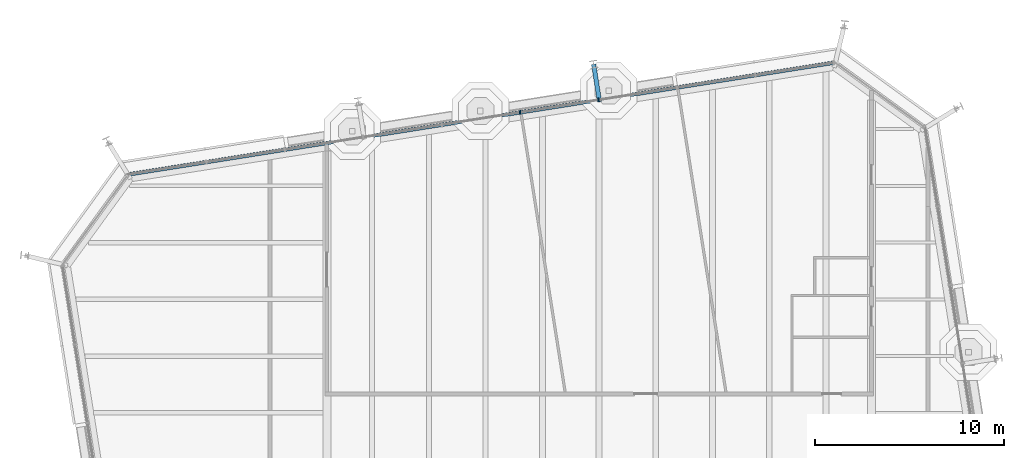
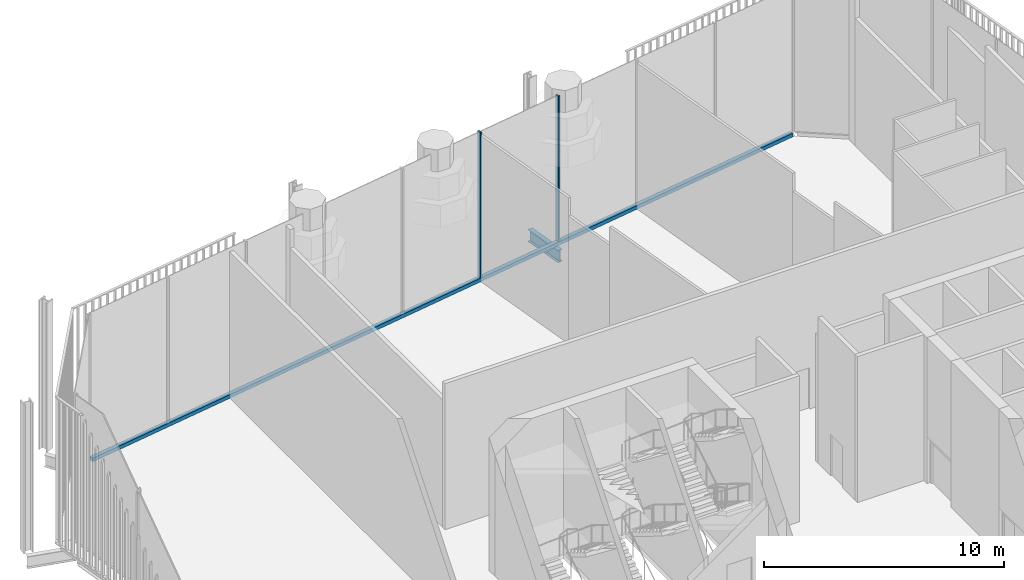
# One storey, part 8 of 17: 3 members, 1 beam, 1 element without a shape of its own.
"""IFC4 building model written with IfcOpenShell, lengths in metres."""

from ifc_helpers import new_model, si_unit, direction, frame, origin, origin_2d, place, context, subcontext, project, spatial, rectangle, i_section, extrude, material, layer, layer_set, material_profile, profile_set, type_object, element, aggregate, save


model = new_model("IFC4")

# Units and contexts
model_context = context("Model", 3, precision=1e-05, world=origin(), true_north=direction((0.0, 1.0)))
body_context = subcontext(model_context, "Body", "Model", "MODEL_VIEW")
ifc_project = project(units=[si_unit("LENGTHUNIT", "METRE"), si_unit("AREAUNIT", "SQUARE_METRE"), si_unit("VOLUMEUNIT", "CUBIC_METRE"), si_unit("PLANEANGLEUNIT", "RADIAN"), si_unit("MASSUNIT", "GRAM", prefix="KILO")], contexts=[model_context])

# Site, building, storey
site_placement = place(None, origin())
site = spatial("IfcSite", under=ifc_project, at=site_placement, CompositionType="ELEMENT")
building_placement = place(site_placement, origin())
building = spatial("IfcBuilding", under=site, at=building_placement, Name="Millrace Tower", CompositionType="ELEMENT")
storey_placement = place(building_placement, frame((0.0, 0.0, 239.800048828125)))
storey = spatial("IfcBuildingStorey", under=building, at=storey_placement, Name="L55", CompositionType="ELEMENT", Elevation=239.800048828125)

# Curtain wall, members
ifc_material_1 = material(Name="Aluminium and glass", Category="aluminium")
ifc_layer = layer(ifc_material_1, 0.199951171875)
ifc_layer_set = layer_set([ifc_layer], Name="Aluminium and glass")
curtain_wall_type = type_object("IfcCurtainWallType", Name="CW-4 sky garden winter glazing", PredefinedType="NOTDEFINED", material=ifc_layer_set)
curtain_wall_placement = place(storey_placement, origin())
curtain_wall = element("IfcCurtainWall", 1, at=curtain_wall_placement, inside=storey, type_object=curtain_wall_type, Name="Curtain wall D-F06 L55", PredefinedType="NOTDEFINED")
ifc_material_2 = material(Name="Aluminium", Category="aluminium")
ifc_material_profile_1 = material_profile(ifc_material_2, rectangle(XDim=0.080078125, YDim=0.199951171875, at=origin_2d()))
ifc_profile_set_1 = profile_set([ifc_material_profile_1], Name="Aluminium")
member_type_1 = type_object("IfcMemberType", Name="CW-4 sky garden winter glazing mullion", PredefinedType="MULLION", material=ifc_profile_set_1)
member_1_placement = place(storey_placement, frame((-0.03076171875, 28.544921875, 0.179931640625), z_axis=(0.0, 0.0, 1.0), x_axis=(-0.987688339511, -0.156434471884, 0.0)))
member_1 = element("IfcMember", 2, at=member_1_placement, type_object=member_type_1, Name="CW4 mullion D-F06.4", PredefinedType="MULLION", context=body_context, shape_type="SweptSolid", body=[
    extrude(rectangle(XDim=0.080078125, YDim=0.199951171875, at=origin_2d()), origin(), (0.0, 0.0, 1.0), 7.419921875),
])
member_2_placement = place(storey_placement, frame((-4.178955078125, 27.887939453125, 0.179931640625), z_axis=(0.0, 0.0, 1.0), x_axis=(-0.987688339511, -0.156434471884, 0.0)))
member_2 = element("IfcMember", 3, at=member_2_placement, type_object=member_type_1, Name="CW4 mullion D-F06.5", PredefinedType="MULLION", context=body_context, shape_type="SweptSolid", body=[
    extrude(rectangle(XDim=0.080078125, YDim=0.199951171875, at=origin_2d()), origin(), (0.0, 0.0, 1.0), 7.419921875),
])
ifc_material_3 = material(Name="Aluminium", Category="aluminium")
ifc_material_profile_2 = material_profile(ifc_material_3, rectangle(XDim=0.199951171875, YDim=0.179931640625, at=origin_2d()))
ifc_profile_set_2 = profile_set([ifc_material_profile_2], Name="Aluminium")
member_type_2 = type_object("IfcMemberType", Name="CW-4 sky garden winter glazing transom", PredefinedType="USERDEFINED", material=ifc_profile_set_2)
member_3_placement = place(storey_placement, frame((12.35498046875, 30.506591796875, 0.08984375), z_axis=(-0.987687829698, -0.156437690685, 0.0), x_axis=(0.156437690685, -0.987687829698, 0.0)))
member_3 = element("IfcMember", 4, at=member_3_placement, type_object=member_type_2, Name="CW4 transom D-F06.1", ObjectType="TRANSOM", PredefinedType="USERDEFINED", context=body_context, shape_type="SweptSolid", body=[
    extrude(rectangle(XDim=0.199951171875, YDim=0.179931640625, at=origin_2d()), origin(), (0.0, 0.0, 1.0), 37.60009765625),
])
aggregate(curtain_wall, [member_1, member_2, member_3])

# Beam
ifc_material_4 = material(Name="Steel ASTM A992 Grade 50", Category="steel")
ifc_material_profile_3 = material_profile(ifc_material_4, i_section(OverallWidth=0.23046875, OverallDepth=0.6171875, WebThickness=0.01318359375, FlangeThickness=0.022216796875, FilletRadius=0.012939453125, at=origin_2d()))
ifc_profile_set_3 = profile_set([ifc_material_profile_3], Name="Steel ASTM A992 Grade 50")
beam_type = type_object("IfcBeamType", Name="Link beam W24x94", PredefinedType="BEAM", material=ifc_profile_set_3)
beam_placement = place(storey_placement, frame((0.0244140625, 28.452392578125, -0.55859375), z_axis=(-0.15637629034, 0.987697552806, 0.0), x_axis=(-0.987697552806, -0.15637629034, 0.0)))
element("IfcBeam", 5, at=beam_placement, inside=storey, type_object=beam_type, Name="LNK-D-L55-S1-07", PredefinedType="BEAM", context=body_context, shape_type="SweptSolid", body=[
    extrude(i_section(OverallWidth=0.23046875, OverallDepth=0.6171875, WebThickness=0.01318359375, FlangeThickness=0.022216796875, FilletRadius=0.012939453125, at=origin_2d()), origin(), (0.0, 0.0, 1.0), 2.0),
])

save(model, "model.ifc")
